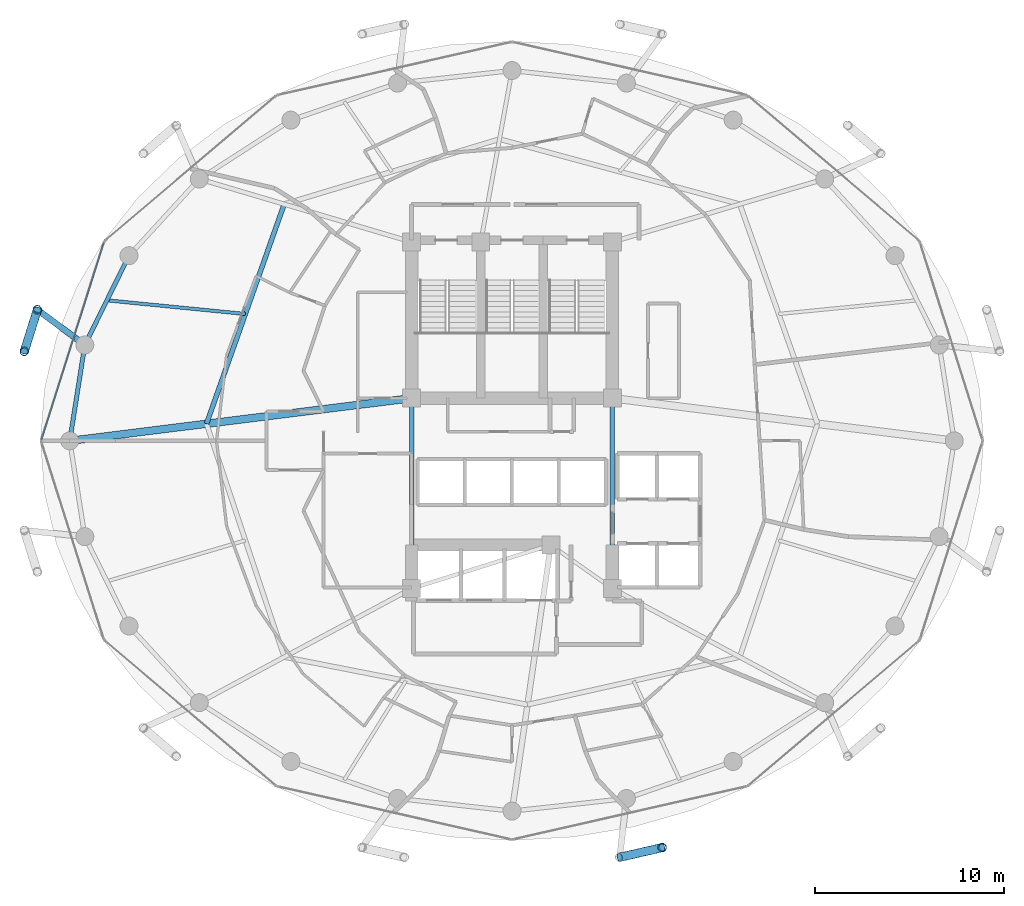
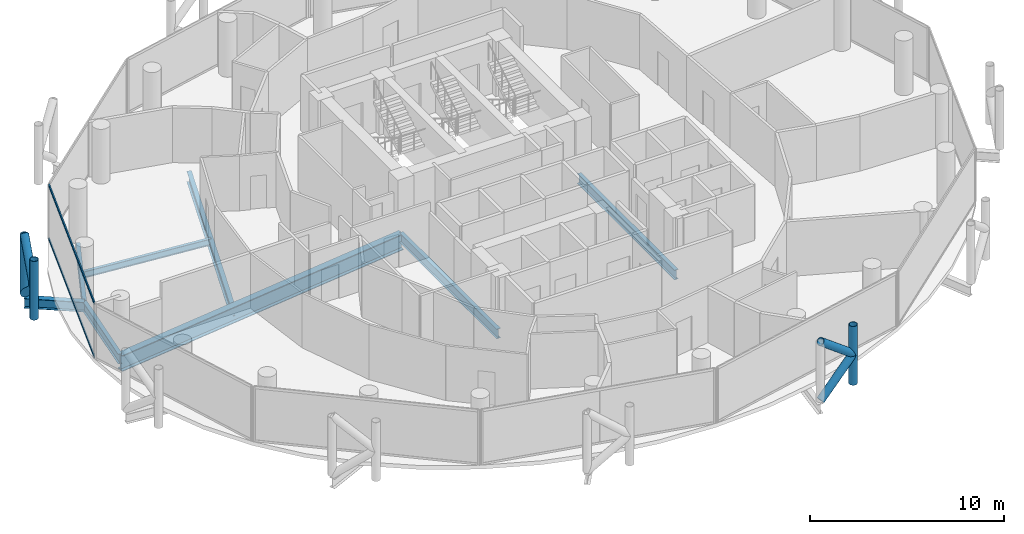
# One storey, part 7 of 26: 9 members, 8 beams, 1 element without a shape of its own.
"""IFC4 building model written with IfcOpenShell, lengths in metres."""

from ifc_helpers import new_model, si_unit, direction, frame, origin, origin_2d, place, context, subcontext, project, spatial, hollow_rectangle, hollow_circle, i_section, extrude, material, layer, layer_set, material_profile, profile_set, type_object, element, aggregate, save


model = new_model("IFC4")

# Units and contexts
model_context = context("Model", 3, precision=1e-05, world=origin(), true_north=direction((0.0, 1.0)))
body_context = subcontext(model_context, "Body", "Model", "MODEL_VIEW")
ifc_project = project(units=[si_unit("LENGTHUNIT", "METRE"), si_unit("AREAUNIT", "SQUARE_METRE"), si_unit("VOLUMEUNIT", "CUBIC_METRE"), si_unit("PLANEANGLEUNIT", "RADIAN"), si_unit("MASSUNIT", "GRAM", prefix="KILO")], contexts=[model_context])

# Site, building, storey
site_placement = place(None, origin())
site = spatial("IfcSite", under=ifc_project, at=site_placement, CompositionType="ELEMENT")
building_placement = place(site_placement, origin())
building = spatial("IfcBuilding", under=site, at=building_placement, Name="Nuhasar Tower", CompositionType="ELEMENT")
storey_placement = place(building_placement, frame((0.0, 0.0, 121.949951171875)))
storey = spatial("IfcBuildingStorey", under=building, at=storey_placement, Name="L28", CompositionType="ELEMENT", Elevation=121.949951171875)

# Beams
ifc_material_1 = material(Name="Steel S355", Category="steel")
ifc_material_profile_1 = material_profile(ifc_material_1, i_section(OverallWidth=0.25390625, OverallDepth=0.68408203125, WebThickness=0.012451171875, FlangeThickness=0.018798828125, at=origin_2d()), Name="W27X94")
ifc_profile_set_1 = profile_set([ifc_material_profile_1], Name="Steel S355")
beam_type_1 = type_object("IfcBeamType", Name="BM-INRING-W27X94", PredefinedType="BEAM", material=ifc_profile_set_1)
beam_1_placement = place(storey_placement, frame((26.972900390625, 39.2939453125, -0.592041015625), z_axis=(-0.333599821096, -0.942714781556, 0.0), x_axis=(0.942714781556, -0.333599821096, 0.0)))
element("IfcBeam", 1, at=beam_1_placement, inside=storey, type_object=beam_type_1, Name="L28 Inner Header Beam 07", PredefinedType="BEAM", context=body_context, shape_type="SweptSolid", body=[
    extrude(i_section(OverallWidth=0.25390625, OverallDepth=0.68408203125, WebThickness=0.012451171875, FlangeThickness=0.018798828125, at=origin_2d()), origin(), (0.0, 0.0, 1.0), 12.298583984375),
])
ifc_material_profile_2 = material_profile(ifc_material_1, i_section(OverallWidth=0.177978515625, OverallDepth=0.406005859375, WebThickness=0.0078125, FlangeThickness=0.0126953125, at=origin_2d()), Name="W16X40")
ifc_profile_set_2 = profile_set([ifc_material_profile_2], Name="Steel S355")
beam_type_2 = type_object("IfcBeamType", Name="BM-JST-W16X40", PredefinedType="JOIST", material=ifc_profile_set_2)
beam_2_placement = place(storey_placement, frame((24.922119140625, 33.4970703125, -0.452880859375), z_axis=(-0.995171845755, 0.098147834497, 0.0), x_axis=(-0.098147834497, -0.995171845755, 0.0)))
element("IfcBeam", 2, at=beam_2_placement, inside=storey, type_object=beam_type_2, Name="L28 Secondary Floor Joist 07", PredefinedType="JOIST", context=body_context, shape_type="SweptSolid", body=[
    extrude(i_section(OverallWidth=0.177978515625, OverallDepth=0.406005859375, WebThickness=0.0078125, FlangeThickness=0.0126953125, at=origin_2d()), origin(), (0.0, 0.0, 1.0), 7.345458984375),
])
ifc_material_profile_3 = material_profile(ifc_material_1, i_section(OverallWidth=0.22900390625, OverallDepth=0.612060546875, WebThickness=0.011962890625, FlangeThickness=0.01953125, at=origin_2d()), Name="W24X84")
ifc_profile_set_3 = profile_set([ifc_material_profile_3], Name="Steel S355")
beam_type_3 = type_object("IfcBeamType", Name="BM-RAD-W24X84", PredefinedType="BEAM", material=ifc_profile_set_3)
for number, where, z_axis, x_axis, name in (
    (3, (44.300048828125, 19.0, -0.555908203125), (0.0, 1.0, 0.0), (-1.0, 0.0, 0.0), "L28 Core Ring Girder 3"),
    (4, (33.699951171875, 29.050048828125, -0.555908203125), (0.0, -1.0, 0.0), (1.0, 0.0, 0.0), "L28 Core Ring Girder 8"),
):
    element("IfcBeam", number, at=place(storey_placement, frame(where, z_axis=z_axis, x_axis=x_axis)), inside=storey, type_object=beam_type_3, Name=name, PredefinedType="BEAM", context=body_context, shape_type="SweptSolid", body=[
        extrude(i_section(OverallWidth=0.22900390625, OverallDepth=0.612060546875, WebThickness=0.011962890625, FlangeThickness=0.01953125, at=origin_2d()), origin(), (0.0, 0.0, 1.0), 10.050048828125),
    ])
ifc_material_profile_4 = material_profile(ifc_material_1, i_section(OverallWidth=0.22998046875, OverallDepth=0.616943359375, WebThickness=0.01318359375, FlangeThickness=0.022216796875, at=origin_2d()), Name="W24X94")
ifc_profile_set_4 = profile_set([ifc_material_profile_4], Name="Steel S355")
beam_type_4 = type_object("IfcBeamType", Name="BM-RING-W24X94", PredefinedType="SPANDREL", material=ifc_profile_set_4)
beam_3_placement = place(storey_placement, frame((18.778076171875, 36.574951171875, -0.557861328125), z_axis=(-0.443347771709, -0.896349682501, 0.0), x_axis=(0.896349682501, -0.443347771709, 0.0)))
element("IfcBeam", 5, at=beam_3_placement, inside=storey, type_object=beam_type_4, Name="L28 Perimeter Ring Spandrel 11", PredefinedType="SPANDREL", context=body_context, shape_type="SweptSolid", body=[
    extrude(i_section(OverallWidth=0.22998046875, OverallDepth=0.616943359375, WebThickness=0.01318359375, FlangeThickness=0.022216796875, at=origin_2d()), origin(), (0.0, 0.0, 1.0), 5.260009765625),
])
beam_4_placement = place(storey_placement, frame((16.446044921875, 31.860107421875, -0.557861328125), z_axis=(-0.155426543608, -0.987847452566, 0.0), x_axis=(0.987847452566, -0.155426543608, 0.0)))
element("IfcBeam", 6, at=beam_4_placement, inside=storey, type_object=beam_type_4, Name="L28 Perimeter Ring Spandrel 12", PredefinedType="SPANDREL", context=body_context, shape_type="SweptSolid", body=[
    extrude(i_section(OverallWidth=0.22998046875, OverallDepth=0.616943359375, WebThickness=0.01318359375, FlangeThickness=0.022216796875, at=origin_2d()), origin(), (0.0, 0.0, 1.0), 5.122314453125),
])
ifc_material_profile_5 = material_profile(ifc_material_1, i_section(OverallWidth=0.323974609375, OverallDepth=0.611083984375, WebThickness=0.0126953125, FlangeThickness=0.01904296875, at=origin_2d()), Name="W24X104")
ifc_profile_set_5 = profile_set([ifc_material_profile_5], Name="Steel S355")
beam_type_5 = type_object("IfcBeamType", Name="BM-TIE-W24X104", PredefinedType="BEAM", material=ifc_profile_set_5)
beam_5_placement = place(storey_placement, frame((16.446044921875, 31.860107421875, -0.554931640625), z_axis=(-0.802872198291, 0.596151183183, 0.0), x_axis=(-0.596151183183, -0.802872198291, 0.0)))
element("IfcBeam", 7, at=beam_5_placement, inside=storey, type_object=beam_type_5, Name="L28 Exoskeleton Node Tie Beam 06", PredefinedType="BEAM", context=body_context, shape_type="SweptSolid", body=[
    extrude(i_section(OverallWidth=0.323974609375, OverallDepth=0.611083984375, WebThickness=0.0126953125, FlangeThickness=0.01904296875, at=origin_2d()), origin(), (0.0, 0.0, 1.0), 3.121337890625),
])
ifc_material_2 = material(Name="Steel S460", Category="steel")
ifc_material_profile_6 = material_profile(ifc_material_2, i_section(OverallWidth=0.40087890625, OverallDepth=1.010009765625, WebThickness=0.023681640625, FlangeThickness=0.0419921875, at=origin_2d()), Name="W40X297")
ifc_profile_set_6 = profile_set([ifc_material_profile_6], Name="Steel S460")
beam_type_6 = type_object("IfcBeamType", Name="BM-XFER-W40X297", PredefinedType="USERDEFINED", material=ifc_profile_set_6)
beam_6_placement = place(storey_placement, frame((33.699951171875, 29.050048828125, -0.7548828125), z_axis=(-0.992320149485, -0.123696082908, 0.0), x_axis=(0.123696082908, -0.992320149485, 0.0)))
element("IfcBeam", 8, at=beam_6_placement, inside=storey, type_object=beam_type_6, Name="L28 Radial Floor Girder 08", ObjectType="GIRDER", PredefinedType="USERDEFINED", context=body_context, shape_type="SweptSolid", body=[
    extrude(i_section(OverallWidth=0.40087890625, OverallDepth=1.010009765625, WebThickness=0.023681640625, FlangeThickness=0.0419921875, at=origin_2d()), origin(), (0.0, 0.0, 1.0), 18.189697265625),
])

# Curtain wall, members
ifc_material_3 = material(Name="Aluminium 6063-T6", Category="aluminium")
ifc_layer = layer(ifc_material_3, 0.199951171875)
ifc_layer_set = layer_set([ifc_layer], Name="Aluminium 6063-T6")
curtain_wall_type = type_object("IfcCurtainWallType", Name="CW-Z2-HTL", PredefinedType="NOTDEFINED", material=ifc_layer_set)
curtain_wall_placement = place(storey_placement, origin())
curtain_wall = element("IfcCurtainWall", 9, at=curtain_wall_placement, inside=storey, type_object=curtain_wall_type, Name="L28 Unitised Curtain Wall 06", PredefinedType="NOTDEFINED")
ifc_material_profile_7 = material_profile(ifc_material_3, hollow_rectangle(XDim=0.070068359375, YDim=0.159912109375, WallThickness=0.00439453125, at=origin_2d()), Name="CWT-3")
ifc_profile_set_7 = profile_set([ifc_material_profile_7], Name="Aluminium 6063-T6")
member_type_1 = type_object("IfcMemberType", Name="CW-TRN-S3", PredefinedType="USERDEFINED", material=ifc_profile_set_7)
member_1_placement = place(storey_placement, frame((17.449951171875, 37.26318359375, 0.03515625), z_axis=(-0.301608163352, -0.953431967053, 0.0), x_axis=(0.953431967053, -0.301608163352, 0.0)))
member_1 = element("IfcMember", 10, at=member_1_placement, type_object=member_type_1, Name="CW-Z2 transom 1.1", ObjectType="TRANSOM", PredefinedType="USERDEFINED", context=body_context, shape_type="SweptSolid", body=[
    extrude(hollow_rectangle(XDim=0.070068359375, YDim=0.159912109375, WallThickness=0.00439453125, at=origin_2d()), origin(), (0.0, 0.0, 1.0), 10.904296875),
])
member_2_placement = place(storey_placement, frame((17.449951171875, 37.26318359375, 3.4150390625), z_axis=(-0.301608163352, -0.953431967053, 0.0), x_axis=(0.953431967053, -0.301608163352, 0.0)))
member_2 = element("IfcMember", 11, at=member_2_placement, type_object=member_type_1, Name="CW-Z2 transom 1.2", ObjectType="TRANSOM", PredefinedType="USERDEFINED", context=body_context, shape_type="SweptSolid", body=[
    extrude(hollow_rectangle(XDim=0.070068359375, YDim=0.159912109375, WallThickness=0.00439453125, at=origin_2d()), origin(), (0.0, 0.0, 1.0), 10.904296875),
])
aggregate(curtain_wall, [member_1, member_2])

# Members
ifc_material_profile_8 = material_profile(ifc_material_2, hollow_circle(Radius=0.228515625, WallThickness=0.022216796875, at=origin_2d()), Name="HSS457X22.2")
ifc_profile_set_8 = profile_set([ifc_material_profile_8], Name="Steel S460")
member_type_2 = type_object("IfcMemberType", Name="EXO-BRONZE-457", PredefinedType="BRACE", material=ifc_profile_set_8)
for number, where, z_axis, x_axis, name in (
    (12, (13.93994140625, 33.720947265625, 0.0), (0.0, 0.0, 1.0), (1.0, 0.0, 0.0), "L28 Exoskeleton Chord Column EC-06A"),
    (13, (13.251953125, 31.52587890625, 0.0), (0.0, 0.0, 1.0), (1.0, 0.0, 0.0), "L28 Exoskeleton Chord Column EC-06B"),
    (14, (46.927978515625, 5.323974609375, 0.0), (0.0, 0.0, 1.0), (1.0, 0.0, 0.0), "L28 Exoskeleton Chord Column EC-10B"),
):
    element("IfcMember", number, at=place(storey_placement, frame(where, z_axis=z_axis, x_axis=x_axis)), inside=storey, type_object=member_type_2, Name=name, PredefinedType="BRACE", context=body_context, shape_type="SweptSolid", body=[
        extrude(hollow_circle(Radius=0.228515625, WallThickness=0.022216796875, at=origin_2d()), origin(), (0.0, 0.0, 1.0), 3.699951171875),
    ])
member_3_placement = place(storey_placement, frame((13.93994140625, 33.720947265625, 0.0), z_axis=(-0.233055548538, -0.743577869731, 0.626719285599), x_axis=(0.954228474306, -0.29907861646, 0.0)))
element("IfcMember", 15, at=member_3_placement, inside=storey, type_object=member_type_2, Name="L28 Bronze Diagrid Brace W1-06", PredefinedType="BRACE", context=body_context, shape_type="SweptSolid", body=[
    extrude(hollow_circle(Radius=0.228515625, WallThickness=0.022216796875, at=origin_2d()), origin(), (0.0, 0.0, 1.0), 2.9521484375),
])
for number, where, z_axis, x_axis, name in (
    (16, (13.251953125, 31.52587890625, 1.85009765625), (0.233067628236, 0.74361641074, 0.626669062861), (-0.954228474306, 0.29907861646, 0.0), "L28 Bronze Diagrid Brace W2-06"),
    (17, (44.68603515625, 4.81005859375, 0.0), (0.759510488094, 0.174101010284, 0.626763637022), (-0.223432882746, 0.974719316987, 0.0), "L28 Bronze Diagrid Brace W1-10"),
):
    element("IfcMember", number, at=place(storey_placement, frame(where, z_axis=z_axis, x_axis=x_axis)), inside=storey, type_object=member_type_2, Name=name, PredefinedType="BRACE", context=body_context, shape_type="SweptSolid", body=[
        extrude(hollow_circle(Radius=0.228515625, WallThickness=0.022216796875, at=origin_2d()), origin(), (0.0, 0.0, 1.0), 2.951904296875),
    ])
member_4_placement = place(storey_placement, frame((46.927978515625, 5.323974609375, 1.85009765625), z_axis=(-0.759549860492, -0.174110035537, 0.626713415327), x_axis=(0.223432882746, -0.974719316987, 0.0)))
element("IfcMember", 18, at=member_4_placement, inside=storey, type_object=member_type_2, Name="L28 Bronze Diagrid Brace W2-10", PredefinedType="BRACE", context=body_context, shape_type="SweptSolid", body=[
    extrude(hollow_circle(Radius=0.228515625, WallThickness=0.022216796875, at=origin_2d()), origin(), (0.0, 0.0, 1.0), 2.95166015625),
])

save(model, "model.ifc")
